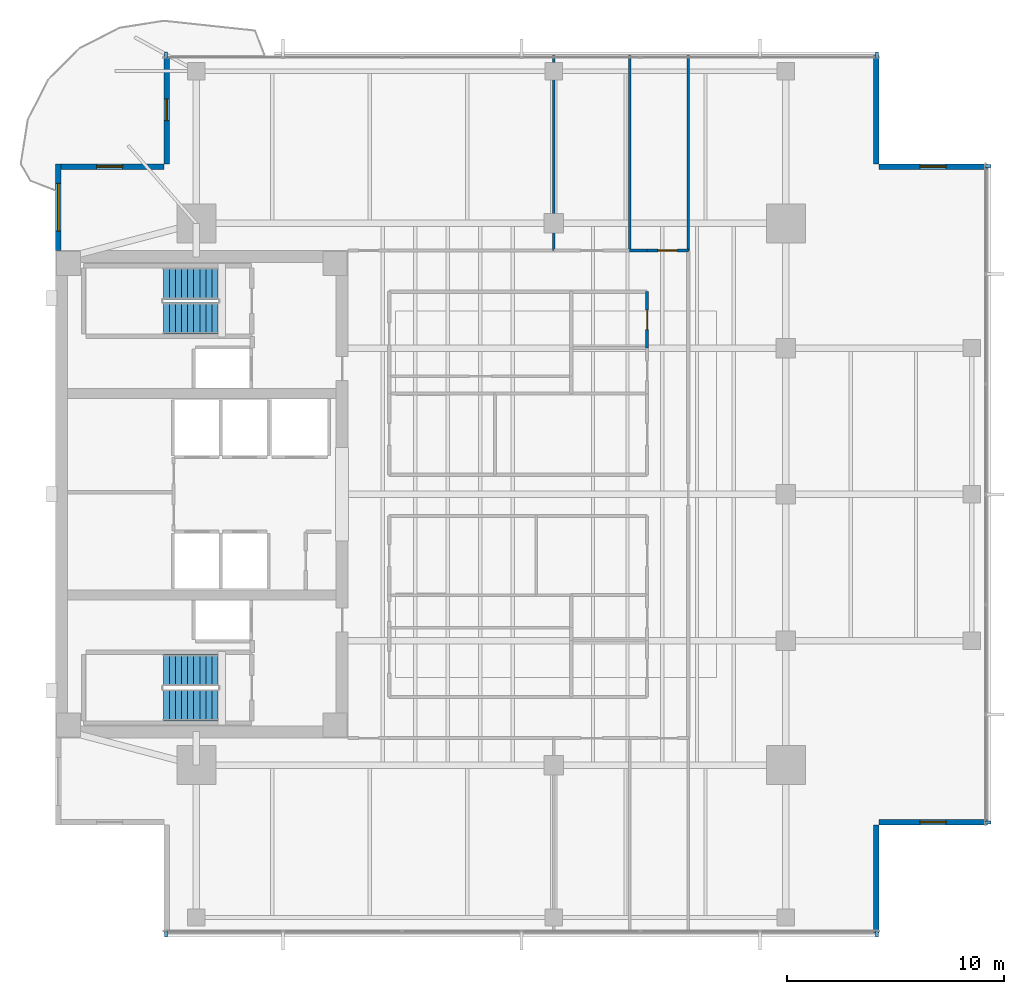
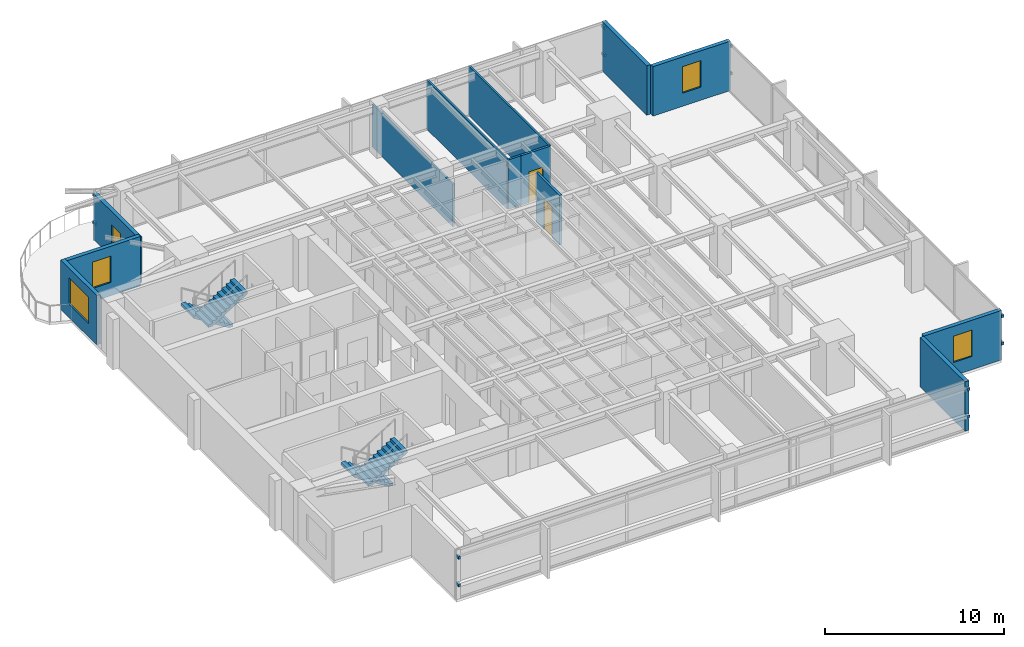
# One storey, part 10 of 14: 13 walls, 12 discrete accessories, 4 stair flights, 4 windows, 3 doors, 7 openings, 2 elements without a shape of their own.
"""IFC4 building model written with IfcOpenShell, lengths in metres."""

from ifc_helpers import new_model, si_unit, direction, frame, frame_2d, origin, origin_2d, place, context, subcontext, project, spatial, polyline, rectangle, outline, extrude, material, layer, layer_set, type_object, element, fill, aggregate, save


model = new_model("IFC4")

# Units and contexts
model_context = context("Model", 3, precision=1e-05, world=origin(), true_north=direction((0.0, 1.0)))
body_context = subcontext(model_context, "Body", "Model", "MODEL_VIEW")
ifc_project = project(units=[si_unit("LENGTHUNIT", "METRE"), si_unit("AREAUNIT", "SQUARE_METRE"), si_unit("VOLUMEUNIT", "CUBIC_METRE"), si_unit("PLANEANGLEUNIT", "RADIAN"), si_unit("MASSUNIT", "GRAM", prefix="KILO")], contexts=[model_context])

# Site, building, storey
site_placement = place(None, origin())
site = spatial("IfcSite", under=ifc_project, at=site_placement, CompositionType="ELEMENT")
building_placement = place(site_placement, origin())
building = spatial("IfcBuilding", under=site, at=building_placement, Name="Kinhvarn Gate Tower", CompositionType="ELEMENT")
storey_placement = place(building_placement, frame((0.0, 0.0, 212.89990234375)))
storey = spatial("IfcBuildingStorey", under=building, at=storey_placement, Name="L56", CompositionType="ELEMENT", Elevation=212.89990234375)

# Wall, opening, window
ifc_material_1 = material(Name="Fired architectural terracotta", Category="masonry")
ifc_layer_1 = layer(ifc_material_1, 0.25)
ifc_layer_set_1 = layer_set([ifc_layer_1], Name="Fired architectural terracotta")
wall_type_1 = type_object("IfcWallType", Name="WL-EXT-250", PredefinedType="SOLIDWALL", material=ifc_layer_set_1)
wall_1_placement = place(storey_placement, frame((4.625, 40.5, 0.0), z_axis=(0.0, 0.0, 1.0), x_axis=(0.0, -1.0, 0.0)))
wall_1 = element("IfcWall", 1, at=wall_1_placement, inside=storey, type_object=wall_type_1, Name="Exterior Solidwall Wall EW-250 (L56 West-North)", PredefinedType="SOLIDWALL", context=body_context, shape_type="SweptSolid", body=[
    extrude(rectangle(XDim=4.0, YDim=0.25, at=frame_2d((2.0, 0.0))), origin(), (0.0, 0.0, 1.0), 3.3701171875),
])
opening_1_placement = place(wall_1_placement, frame((0.89990234375, 0.0, 0.89990234375)))
opening_1 = element("IfcOpeningElement", 2, at=opening_1_placement, cuts=wall_1, Name="Opening WN-01", PredefinedType="OPENING", context=body_context, shape_type="SweptSolid", body=[
    extrude(rectangle(XDim=2.199951171875, YDim=1.800048828125, at=frame_2d((1.10009765625, 0.89990234375))), frame((0.0, 0.135009765625, 0.0), z_axis=(0.0, -1.0, 0.0), x_axis=(1.0, 0.0, 0.0)), (0.0, 0.0, 1.0), 0.27001953125),
])
ifc_material_2 = material(Name="Clear low-e double glazing", Category="glass")
window_type_1 = type_object("IfcWindowType", Name="WIN-RIB-2200", PartitioningType="SINGLE_PANEL", PredefinedType="WINDOW", material=ifc_material_2)
window_1_placement = place(opening_1_placement, origin())
window_1 = element("IfcWindow", 3, at=window_1_placement, inside=storey, type_object=window_type_1, Name="West Flank Double-Glazed Ribbon Window 2200x1800 mm (L56)", OverallHeight=1.800048828125, OverallWidth=2.199951171875, PartitioningType="SINGLE_PANEL", PredefinedType="WINDOW", context=body_context, shape_type="SweptSolid", body=[
    extrude(rectangle(XDim=2.199951171875, YDim=1.800048828125, at=frame_2d((1.10009765625, 0.89990234375))), frame((0.0, 0.030029296875, 0.0), z_axis=(0.0, -1.0, 0.0), x_axis=(1.0, 0.0, 0.0)), (0.0, 0.0, 1.0), 0.06005859375),
])
fill(opening_1, window_1)

# Wall
wall_2_placement = place(storey_placement, frame((42.375, 5.0, 0.0), z_axis=(0.0, 0.0, 1.0), x_axis=(0.0, 1.0, 0.0)))
element("IfcWall", 4, at=wall_2_placement, inside=storey, type_object=wall_type_1, Name="Exterior Solidwall Wall EW-250 (L56 SE-Notch-1)", PredefinedType="SOLIDWALL", context=body_context, shape_type="SweptSolid", body=[
    extrude(rectangle(XDim=5.0, YDim=0.25, at=frame_2d((2.5, 0.0))), origin(), (0.0, 0.0, 1.0), 3.3701171875),
])

# Wall, opening, window
wall_3_placement = place(storey_placement, frame((42.5, 10.125, 0.0), z_axis=(0.0, 0.0, 1.0), x_axis=(1.0, 0.0, 0.0)))
wall_3 = element("IfcWall", 5, at=wall_3_placement, inside=storey, type_object=wall_type_1, Name="Exterior Solidwall Wall EW-250 (L56 SE-Notch-2)", PredefinedType="SOLIDWALL", context=body_context, shape_type="SweptSolid", body=[
    extrude(rectangle(XDim=5.0, YDim=0.25, at=frame_2d((2.5, 0.0))), origin(), (0.0, 0.0, 1.0), 3.3701171875),
])
opening_2_placement = place(wall_3_placement, frame((1.89990234375, 0.0, 0.89990234375)))
opening_2 = element("IfcOpeningElement", 6, at=opening_2_placement, cuts=wall_3, Name="Opening WN-02", PredefinedType="OPENING", context=body_context, shape_type="SweptSolid", body=[
    extrude(rectangle(XDim=1.199951171875, YDim=1.800048828125, at=frame_2d((0.60009765625, 0.89990234375))), frame((0.0, 0.135009765625, 0.0), z_axis=(0.0, -1.0, 0.0), x_axis=(1.0, 0.0, 0.0)), (0.0, 0.0, 1.0), 0.27001953125),
])
window_type_2 = type_object("IfcWindowType", Name="WIN-NTC-1200", PartitioningType="SINGLE_PANEL", PredefinedType="WINDOW", material=ifc_material_2)
window_2_placement = place(opening_2_placement, origin())
window_2 = element("IfcWindow", 7, at=window_2_placement, inside=storey, type_object=window_type_2, Name="Recessed Corner Notch Punched Window 1200x1800 mm (L56)", OverallHeight=1.800048828125, OverallWidth=1.199951171875, PartitioningType="SINGLE_PANEL", PredefinedType="WINDOW", context=body_context, shape_type="SweptSolid", body=[
    extrude(rectangle(XDim=1.199951171875, YDim=1.800048828125, at=frame_2d((0.60009765625, 0.89990234375))), frame((0.0, 0.030029296875, 0.0), z_axis=(0.0, -1.0, 0.0), x_axis=(1.0, 0.0, 0.0)), (0.0, 0.0, 1.0), 0.06005859375),
])
fill(opening_2, window_2)

wall_4_placement = place(storey_placement, frame((47.5, 40.375, 0.0), z_axis=(0.0, 0.0, 1.0), x_axis=(-1.0, 0.0, 0.0)))
wall_4 = element("IfcWall", 8, at=wall_4_placement, inside=storey, type_object=wall_type_1, Name="Exterior Solidwall Wall EW-250 (L56 NE-Notch-1)", PredefinedType="SOLIDWALL", context=body_context, shape_type="SweptSolid", body=[
    extrude(rectangle(XDim=5.0, YDim=0.25, at=frame_2d((2.5, 0.0))), origin(), (0.0, 0.0, 1.0), 3.3701171875),
])
opening_3_placement = place(wall_4_placement, frame((1.89990234375, 0.0, 0.89990234375)))
opening_3 = element("IfcOpeningElement", 9, at=opening_3_placement, cuts=wall_4, Name="Opening WN-02", PredefinedType="OPENING", context=body_context, shape_type="SweptSolid", body=[
    extrude(rectangle(XDim=1.199951171875, YDim=1.800048828125, at=frame_2d((0.60009765625, 0.89990234375))), frame((0.0, 0.135009765625, 0.0), z_axis=(0.0, -1.0, 0.0), x_axis=(1.0, 0.0, 0.0)), (0.0, 0.0, 1.0), 0.27001953125),
])
window_3_placement = place(opening_3_placement, origin())
window_3 = element("IfcWindow", 10, at=window_3_placement, inside=storey, type_object=window_type_2, Name="Recessed Corner Notch Punched Window 1200x1800 mm (L56)", OverallHeight=1.800048828125, OverallWidth=1.199951171875, PartitioningType="SINGLE_PANEL", PredefinedType="WINDOW", context=body_context, shape_type="SweptSolid", body=[
    extrude(rectangle(XDim=1.199951171875, YDim=1.800048828125, at=frame_2d((0.60009765625, 0.89990234375))), frame((0.0, 0.030029296875, 0.0), z_axis=(0.0, -1.0, 0.0), x_axis=(1.0, 0.0, 0.0)), (0.0, 0.0, 1.0), 0.06005859375),
])
fill(opening_3, window_3)

# Wall
wall_5_placement = place(storey_placement, frame((42.375, 40.5, 0.0), z_axis=(0.0, 0.0, 1.0), x_axis=(0.0, 1.0, 0.0)))
element("IfcWall", 11, at=wall_5_placement, inside=storey, type_object=wall_type_1, Name="Exterior Solidwall Wall EW-250 (L56 NE-Notch-2)", PredefinedType="SOLIDWALL", context=body_context, shape_type="SweptSolid", body=[
    extrude(rectangle(XDim=5.0, YDim=0.25, at=frame_2d((2.5, 0.0))), origin(), (0.0, 0.0, 1.0), 3.3701171875),
])

# Wall, opening, door
wall_6_placement = place(storey_placement, frame((9.625, 45.5, 0.0), z_axis=(0.0, 0.0, 1.0), x_axis=(0.0, -1.0, 0.0)))
wall_6 = element("IfcWall", 12, at=wall_6_placement, inside=storey, type_object=wall_type_1, Name="Exterior Solidwall Wall EW-250 (L56 NW-Notch-Door)", PredefinedType="SOLIDWALL", context=body_context, shape_type="SweptSolid", body=[
    extrude(rectangle(XDim=5.0, YDim=0.25, at=frame_2d((2.5, 0.0))), origin(), (0.0, 0.0, 1.0), 3.10009765625),
])
opening_4_placement = place(wall_6_placement, frame((2.0, 0.0, 0.0)))
opening_4 = element("IfcOpeningElement", 13, at=opening_4_placement, cuts=wall_6, Name="Opening BD-01", PredefinedType="OPENING", context=body_context, shape_type="SweptSolid", body=[
    extrude(rectangle(XDim=1.0, YDim=2.199951171875, at=frame_2d((0.5, 1.10009765625))), frame((0.0, 0.135009765625, 0.0), z_axis=(0.0, -1.0, 0.0), x_axis=(1.0, 0.0, 0.0)), (0.0, 0.0, 1.0), 0.27001953125),
])
door_type_1 = type_object("IfcDoorType", Name="DR-BAL-1000", OperationType="NOTDEFINED", PredefinedType="DOOR", material=ifc_material_2)
door_1_placement = place(opening_4_placement, frame((1.0, 0.0, 0.0), z_axis=(0.0, 0.0, 1.0), x_axis=(-1.0, 0.0, 0.0)))
door_1 = element("IfcDoor", 14, at=door_1_placement, inside=storey, type_object=door_type_1, Name="S-Carve Balcony Door BD-01 (L56)", OperationType="SINGLE_SWING_RIGHT", OverallHeight=2.199951171875, OverallWidth=1.0, PredefinedType="DOOR", context=body_context, shape_type="SweptSolid", body=[
    extrude(rectangle(XDim=1.0, YDim=2.199951171875, at=frame_2d((0.5, 1.10009765625))), frame((0.0, 0.02490234375, 0.0), z_axis=(0.0, -1.0, 0.0), x_axis=(1.0, 0.0, 0.0)), (0.0, 0.0, 1.0), 0.050048828125),
])
fill(opening_4, door_1)

# Wall, opening, window
wall_7_placement = place(storey_placement, frame((9.5, 40.375, 0.0), z_axis=(0.0, 0.0, 1.0), x_axis=(-1.0, 0.0, 0.0)))
wall_7 = element("IfcWall", 15, at=wall_7_placement, inside=storey, type_object=wall_type_1, Name="Exterior Solidwall Wall EW-250 (L56 NW-Notch-Win)", PredefinedType="SOLIDWALL", context=body_context, shape_type="SweptSolid", body=[
    extrude(rectangle(XDim=5.0, YDim=0.25, at=frame_2d((2.5, 0.0))), origin(), (0.0, 0.0, 1.0), 3.3701171875),
])
opening_5_placement = place(wall_7_placement, frame((1.89990234375, 0.0, 0.89990234375)))
opening_5 = element("IfcOpeningElement", 16, at=opening_5_placement, cuts=wall_7, Name="Opening WN-02", PredefinedType="OPENING", context=body_context, shape_type="SweptSolid", body=[
    extrude(rectangle(XDim=1.199951171875, YDim=1.800048828125, at=frame_2d((0.60009765625, 0.89990234375))), frame((0.0, 0.135009765625, 0.0), z_axis=(0.0, -1.0, 0.0), x_axis=(1.0, 0.0, 0.0)), (0.0, 0.0, 1.0), 0.27001953125),
])
window_4_placement = place(opening_5_placement, origin())
window_4 = element("IfcWindow", 17, at=window_4_placement, inside=storey, type_object=window_type_2, Name="Recessed Corner Notch Punched Window 1200x1800 mm (L56)", OverallHeight=1.800048828125, OverallWidth=1.199951171875, PartitioningType="SINGLE_PANEL", PredefinedType="WINDOW", context=body_context, shape_type="SweptSolid", body=[
    extrude(rectangle(XDim=1.199951171875, YDim=1.800048828125, at=frame_2d((0.60009765625, 0.89990234375))), frame((0.0, 0.030029296875, 0.0), z_axis=(0.0, -1.0, 0.0), x_axis=(1.0, 0.0, 0.0)), (0.0, 0.0, 1.0), 0.06005859375),
])
fill(opening_5, window_4)

# Wall, opening, door
ifc_material_3 = material(Name="Gypsum acoustic partition board")
ifc_layer_2 = layer(ifc_material_3, 0.14990234375)
ifc_layer_set_2 = layer_set([ifc_layer_2], Name="Gypsum acoustic partition board")
wall_type_2 = type_object("IfcWallType", Name="WL-PLM-150F", PredefinedType="PLUMBINGWALL", material=ifc_layer_set_2)
wall_8_placement = place(storey_placement, frame((31.800048828125, 32.0, 0.0), z_axis=(0.0, 0.0, 1.0), x_axis=(0.0, 1.0, 0.0)))
wall_8 = element("IfcWall", 18, at=wall_8_placement, inside=storey, type_object=wall_type_2, Name="Interior Partition PLW-150F (L56)", PredefinedType="PLUMBINGWALL", context=body_context, shape_type="SweptSolid", body=[
    extrude(rectangle(XDim=2.60009765625, YDim=0.14990234375, at=frame_2d((1.300048828125, 0.0))), origin(), (0.0, 0.0, 1.0), 3.3701171875),
])
opening_6_placement = place(wall_8_placement, frame((0.85009765625, 0.0, 0.0)))
opening_6 = element("IfcOpeningElement", 19, at=opening_6_placement, cuts=wall_8, Name="Opening FD-04", PredefinedType="OPENING", context=body_context, shape_type="SweptSolid", body=[
    extrude(rectangle(XDim=0.89990234375, YDim=2.10009765625, at=frame_2d((0.449951171875, 1.050048828125))), frame((0.0, 0.0849609375, 0.0), z_axis=(0.0, -1.0, 0.0), x_axis=(1.0, 0.0, 0.0)), (0.0, 0.0, 1.0), 0.169921875),
])
ifc_material_4 = material(Name="Anodised aluminium AW-6063", Category="aluminium")
door_type_2 = type_object("IfcDoorType", Name="DR-FD-900", OperationType="NOTDEFINED", PredefinedType="DOOR", material=ifc_material_4)
door_2_placement = place(opening_6_placement, origin())
door_2 = element("IfcDoor", 20, at=door_2_placement, inside=storey, type_object=door_type_2, Name="Rated Riser & Service Closet Fire Door 900x2100 mm (L56)", OperationType="SINGLE_SWING_LEFT", OverallHeight=2.10009765625, OverallWidth=0.89990234375, PredefinedType="DOOR", context=body_context, shape_type="SweptSolid", body=[
    extrude(rectangle(XDim=0.89990234375, YDim=2.10009765625, at=frame_2d((0.449951171875, 1.050048828125))), frame((0.0, 0.02490234375, 0.0), z_axis=(0.0, -1.0, 0.0), x_axis=(1.0, 0.0, 0.0)), (0.0, 0.0, 1.0), 0.050048828125),
])
fill(opening_6, door_2)

# Walls
ifc_layer_3 = layer(ifc_material_3, 0.1201171875)
ifc_layer_set_3 = layer_set([ifc_layer_3], Name="Gypsum acoustic partition board")
wall_type_3 = type_object("IfcWallType", Name="WL-PRT-120", PredefinedType="PARTITIONING", material=ifc_layer_set_3)
wall_9_placement = place(storey_placement, frame((27.5, 36.5, 0.0), z_axis=(0.0, 0.0, 1.0), x_axis=(0.0, 1.0, 0.0)))
element("IfcWall", 21, at=wall_9_placement, inside=storey, type_object=wall_type_3, Name="Interior Partition PW-120 (L56)", PredefinedType="PARTITIONING", context=body_context, shape_type="SweptSolid", body=[
    extrude(rectangle(XDim=8.989990234375, YDim=0.1201171875, at=frame_2d((4.4951171875, 0.0))), origin(), (0.0, 0.0, 1.0), 2.920166015625),
])
for number, where, z_axis, x_axis, name in (
    (22, (31.0, 36.5, 0.0), (0.0, 0.0, 1.0), (0.0, 1.0, 0.0), "Interior Partition PW-120 (L56)"),
    (23, (33.699951171875, 36.5, 0.0), (0.0, 0.0, 1.0), (0.0, 1.0, 0.0), "Interior Partition PW-120 (L56)"),
):
    element("IfcWall", number, at=place(storey_placement, frame(where, z_axis=z_axis, x_axis=x_axis)), inside=storey, type_object=wall_type_3, Name=name, PredefinedType="PARTITIONING", context=body_context, shape_type="SweptSolid", body=[
        extrude(rectangle(XDim=8.989990234375, YDim=0.1201171875, at=frame_2d((4.4951171875, 0.0))), origin(), (0.0, 0.0, 1.0), 3.3701171875),
    ])

# Wall, opening, door
ifc_layer_4 = layer(ifc_material_3, 0.14990234375)
ifc_layer_set_4 = layer_set([ifc_layer_4], Name="Gypsum acoustic partition board")
wall_type_4 = type_object("IfcWallType", Name="WL-PRT-150F", PredefinedType="PARTITIONING", material=ifc_layer_set_4)
wall_10_placement = place(storey_placement, frame((31.800048828125, 36.5, 0.0), z_axis=(0.0, 0.0, 1.0), x_axis=(1.0, 0.0, 0.0)))
wall_10 = element("IfcWall", 24, at=wall_10_placement, inside=storey, type_object=wall_type_4, Name="Interior Partition PW-150F (L56)", PredefinedType="PARTITIONING", context=body_context, shape_type="SweptSolid", body=[
    extrude(rectangle(XDim=1.89990234375, YDim=0.14990234375, at=frame_2d((0.949951171875, 0.0))), origin(), (0.0, 0.0, 1.0), 3.3701171875),
])
opening_7_placement = place(wall_10_placement, frame((0.5, 0.0, 0.0)))
opening_7 = element("IfcOpeningElement", 25, at=opening_7_placement, cuts=wall_10, Name="Opening ID-03", PredefinedType="OPENING", context=body_context, shape_type="SweptSolid", body=[
    extrude(rectangle(XDim=0.89990234375, YDim=2.10009765625, at=frame_2d((0.449951171875, 1.050048828125))), frame((0.0, 0.0849609375, 0.0), z_axis=(0.0, -1.0, 0.0), x_axis=(1.0, 0.0, 0.0)), (0.0, 0.0, 1.0), 0.169921875),
])
door_type_3 = type_object("IfcDoorType", Name="DR-INT-900", OperationType="NOTDEFINED", PredefinedType="DOOR", material=ifc_material_4)
door_3_placement = place(opening_7_placement, origin())
door_3 = element("IfcDoor", 26, at=door_3_placement, inside=storey, type_object=door_type_3, Name="Cellular Office & Restroom Door 900x2100 mm (L56)", OperationType="SINGLE_SWING_LEFT", OverallHeight=2.10009765625, OverallWidth=0.89990234375, PredefinedType="DOOR", context=body_context, shape_type="SweptSolid", body=[
    extrude(rectangle(XDim=0.89990234375, YDim=2.10009765625, at=frame_2d((0.449951171875, 1.050048828125))), frame((0.0, 0.02490234375, 0.0), z_axis=(0.0, -1.0, 0.0), x_axis=(1.0, 0.0, 0.0)), (0.0, 0.0, 1.0), 0.050048828125),
])
fill(opening_7, door_3)

# Wall
wall_11_placement = place(storey_placement, frame((31.0, 36.5, 0.0), z_axis=(0.0, 0.0, 1.0), x_axis=(1.0, 0.0, 0.0)))
element("IfcWall", 27, at=wall_11_placement, inside=storey, type_object=wall_type_4, Name="Interior Partition PW-150F (L56)", PredefinedType="PARTITIONING", context=body_context, shape_type="SweptSolid", body=[
    extrude(rectangle(XDim=0.800048828125, YDim=0.14990234375, at=frame_2d((0.39990234375, 0.0))), origin(), (0.0, 0.0, 1.0), 3.3701171875),
])

# Stair, stair flights
ifc_material_5 = material(Name="Concrete C40/50", Category="concrete")
stair_type = type_object("IfcStairType", Name="STR-DLG-177", PredefinedType="HALF_TURN_STAIR", material=ifc_material_5)
stair_1_placement = place(storey_placement, origin())
stair_1 = element("IfcStair", 28, at=stair_1_placement, inside=storey, type_object=stair_type, Name="L56 Core Smokeproof Exit Stair ST1", PredefinedType="HALF_TURN_STAIR")
stair_flight_type = type_object("IfcStairFlightType", Name="STF-DLG-177", PredefinedType="STRAIGHT", material=ifc_material_5)
stair_flight_1_placement = place(storey_placement, frame((12.0, 17.125, 0.0), z_axis=(0.0, 0.0, 1.0), x_axis=(-1.0, 0.0, 0.0)))
stair_flight_1 = element("IfcStairFlight", 29, at=stair_flight_1_placement, type_object=stair_flight_type, Name="ST1 flight 1", NumberOfRisers=10, NumberOfTreads=9, PredefinedType="STRAIGHT", RiserHeight=0.1775, TreadLength=0.28, context=body_context, shape_type="SweptSolid", body=[
    extrude(outline(polyline([(0.0, 0.0), (0.0, 0.177490234375), (0.280029296875, 0.177490234375), (0.280029296875, 0.35498046875), (0.56005859375, 0.35498046875), (0.56005859375, 0.532470703125), (0.840087890625, 0.532470703125), (0.840087890625, 0.7099609375), (1.1201171875, 0.7099609375), (1.1201171875, 0.887451171875), (1.39990234375, 0.887451171875), (1.39990234375, 1.06494140625), (1.679931640625, 1.06494140625), (1.679931640625, 1.242431640625), (1.9599609375, 1.242431640625), (1.9599609375, 1.419921875), (2.239990234375, 1.419921875), (2.239990234375, 1.597412109375), (2.52001953125, 1.597412109375), (2.52001953125, 1.77490234375), (2.52001953125, 1.419921875), (0.280029296875, 0.0), (0.0, 0.0)])), frame((0.0, 0.72509765625, 0.0), z_axis=(0.0, -1.0, 0.0), x_axis=(1.0, 0.0, 0.0)), (0.0, 0.0, 1.0), 1.449951171875),
])
stair_flight_2_placement = place(storey_placement, frame((9.47998046875, 15.52490234375, 1.775146484375), z_axis=(0.0, 0.0, 1.0), x_axis=(1.0, 0.0, 0.0)))
stair_flight_2 = element("IfcStairFlight", 30, at=stair_flight_2_placement, type_object=stair_flight_type, Name="ST1 flight 2", NumberOfRisers=10, NumberOfTreads=9, PredefinedType="STRAIGHT", RiserHeight=0.1775, TreadLength=0.28, context=body_context, shape_type="SweptSolid", body=[
    extrude(outline(polyline([(0.0, 0.0), (0.0, 0.177490234375), (0.280029296875, 0.177490234375), (0.280029296875, 0.35498046875), (0.56005859375, 0.35498046875), (0.56005859375, 0.532470703125), (0.840087890625, 0.532470703125), (0.840087890625, 0.7099609375), (1.1201171875, 0.7099609375), (1.1201171875, 0.887451171875), (1.39990234375, 0.887451171875), (1.39990234375, 1.06494140625), (1.679931640625, 1.06494140625), (1.679931640625, 1.242431640625), (1.9599609375, 1.242431640625), (1.9599609375, 1.419921875), (2.239990234375, 1.419921875), (2.239990234375, 1.597412109375), (2.52001953125, 1.597412109375), (2.52001953125, 1.77490234375), (2.52001953125, 1.419921875), (0.280029296875, 0.0), (0.0, 0.0)])), frame((0.0, 0.72509765625, 0.0), z_axis=(0.0, -1.0, 0.0), x_axis=(1.0, 0.0, 0.0)), (0.0, 0.0, 1.0), 1.449951171875),
])
aggregate(stair_1, [stair_flight_1, stair_flight_2])

stair_2_placement = place(storey_placement, origin())
stair_2 = element("IfcStair", 31, at=stair_2_placement, inside=storey, type_object=stair_type, Name="L56 Core Smokeproof Exit Stair ST2", PredefinedType="HALF_TURN_STAIR")
stair_flight_3_placement = place(storey_placement, frame((12.0, 34.97509765625, 0.0), z_axis=(0.0, 0.0, 1.0), x_axis=(-1.0, 0.0, 0.0)))
stair_flight_3 = element("IfcStairFlight", 32, at=stair_flight_3_placement, type_object=stair_flight_type, Name="ST2 flight 1", NumberOfRisers=10, NumberOfTreads=9, PredefinedType="STRAIGHT", RiserHeight=0.1775, TreadLength=0.28, context=body_context, shape_type="SweptSolid", body=[
    extrude(outline(polyline([(0.0, 0.0), (0.0, 0.177490234375), (0.280029296875, 0.177490234375), (0.280029296875, 0.35498046875), (0.56005859375, 0.35498046875), (0.56005859375, 0.532470703125), (0.840087890625, 0.532470703125), (0.840087890625, 0.7099609375), (1.1201171875, 0.7099609375), (1.1201171875, 0.887451171875), (1.39990234375, 0.887451171875), (1.39990234375, 1.06494140625), (1.679931640625, 1.06494140625), (1.679931640625, 1.242431640625), (1.9599609375, 1.242431640625), (1.9599609375, 1.419921875), (2.239990234375, 1.419921875), (2.239990234375, 1.597412109375), (2.52001953125, 1.597412109375), (2.52001953125, 1.77490234375), (2.52001953125, 1.419921875), (0.280029296875, 0.0), (0.0, 0.0)])), frame((0.0, 0.72509765625, 0.0), z_axis=(0.0, -1.0, 0.0), x_axis=(1.0, 0.0, 0.0)), (0.0, 0.0, 1.0), 1.449951171875),
])
stair_flight_4_placement = place(storey_placement, frame((9.47998046875, 33.375, 1.775146484375), z_axis=(0.0, 0.0, 1.0), x_axis=(1.0, 0.0, 0.0)))
stair_flight_4 = element("IfcStairFlight", 33, at=stair_flight_4_placement, type_object=stair_flight_type, Name="ST2 flight 2", NumberOfRisers=10, NumberOfTreads=9, PredefinedType="STRAIGHT", RiserHeight=0.1775, TreadLength=0.28, context=body_context, shape_type="SweptSolid", body=[
    extrude(outline(polyline([(0.0, 0.0), (0.0, 0.177490234375), (0.280029296875, 0.177490234375), (0.280029296875, 0.35498046875), (0.56005859375, 0.35498046875), (0.56005859375, 0.532470703125), (0.840087890625, 0.532470703125), (0.840087890625, 0.7099609375), (1.1201171875, 0.7099609375), (1.1201171875, 0.887451171875), (1.39990234375, 0.887451171875), (1.39990234375, 1.06494140625), (1.679931640625, 1.06494140625), (1.679931640625, 1.242431640625), (1.9599609375, 1.242431640625), (1.9599609375, 1.419921875), (2.239990234375, 1.419921875), (2.239990234375, 1.597412109375), (2.52001953125, 1.597412109375), (2.52001953125, 1.77490234375), (2.52001953125, 1.419921875), (0.280029296875, 0.0), (0.0, 0.0)])), frame((0.0, 0.72509765625, 0.0), z_axis=(0.0, -1.0, 0.0), x_axis=(1.0, 0.0, 0.0)), (0.0, 0.0, 1.0), 1.449951171875),
])
aggregate(stair_2, [stair_flight_3, stair_flight_4])

# Discrete accessories
discrete_accessory_type = type_object("IfcDiscreteAccessoryType", Name="ACC-BRK-01", PredefinedType="BRACKET", material=ifc_material_4)
for number, where, z_axis, x_axis, name in (
    (34, (9.60009765625, 4.969970703125, 0.9599609375), (0.0, 0.0, 1.0), (1.0, 0.0, 0.0), "Baguette Support Bracket BK-01 (L56)"),
    (35, (9.60009765625, 4.969970703125, 2.830078125), (0.0, 0.0, 1.0), (1.0, 0.0, 0.0), "Baguette Support Bracket BK-01 (L56)"),
    (36, (42.39990234375, 4.969970703125, 0.9599609375), (0.0, 0.0, 1.0), (1.0, 0.0, 0.0), "Baguette Support Bracket BK-01 (L56)"),
    (37, (42.39990234375, 4.969970703125, 2.830078125), (0.0, 0.0, 1.0), (1.0, 0.0, 0.0), "Baguette Support Bracket BK-01 (L56)"),
    (38, (42.39990234375, 45.530029296875, 0.9599609375), (0.0, 0.0, 1.0), (-1.0, 0.0, 0.0), "Baguette Support Bracket BK-01 (L56)"),
    (39, (42.39990234375, 45.530029296875, 2.830078125), (0.0, 0.0, 1.0), (-1.0, 0.0, 0.0), "Baguette Support Bracket BK-01 (L56)"),
    (40, (9.60009765625, 45.530029296875, 0.9599609375), (0.0, 0.0, 1.0), (-1.0, 0.0, 0.0), "Baguette Support Bracket BK-01 (L56)"),
    (41, (9.60009765625, 45.530029296875, 2.830078125), (0.0, 0.0, 1.0), (-1.0, 0.0, 0.0), "Baguette Support Bracket BK-01 (L56)"),
    (42, (47.530029296875, 10.10009765625, 0.9599609375), (0.0, 0.0, 1.0), (0.0, 1.0, 0.0), "Baguette Support Bracket BK-01 (L56)"),
    (43, (47.530029296875, 10.10009765625, 2.830078125), (0.0, 0.0, 1.0), (0.0, 1.0, 0.0), "Baguette Support Bracket BK-01 (L56)"),
    (44, (47.530029296875, 40.39990234375, 0.9599609375), (0.0, 0.0, 1.0), (0.0, 1.0, 0.0), "Baguette Support Bracket BK-01 (L56)"),
    (45, (47.530029296875, 40.39990234375, 2.830078125), (0.0, 0.0, 1.0), (0.0, 1.0, 0.0), "Baguette Support Bracket BK-01 (L56)"),
):
    element("IfcDiscreteAccessory", number, at=place(storey_placement, frame(where, z_axis=z_axis, x_axis=x_axis)), inside=storey, type_object=discrete_accessory_type, Name=name, PredefinedType="BRACKET", context=body_context, shape_type="SweptSolid", body=[
        extrude(rectangle(XDim=0.139892578125, YDim=0.280029296875, at=origin_2d()), origin(), (0.0, 0.0, 1.0), 0.179931640625),
    ])

save(model, "model.ifc")
